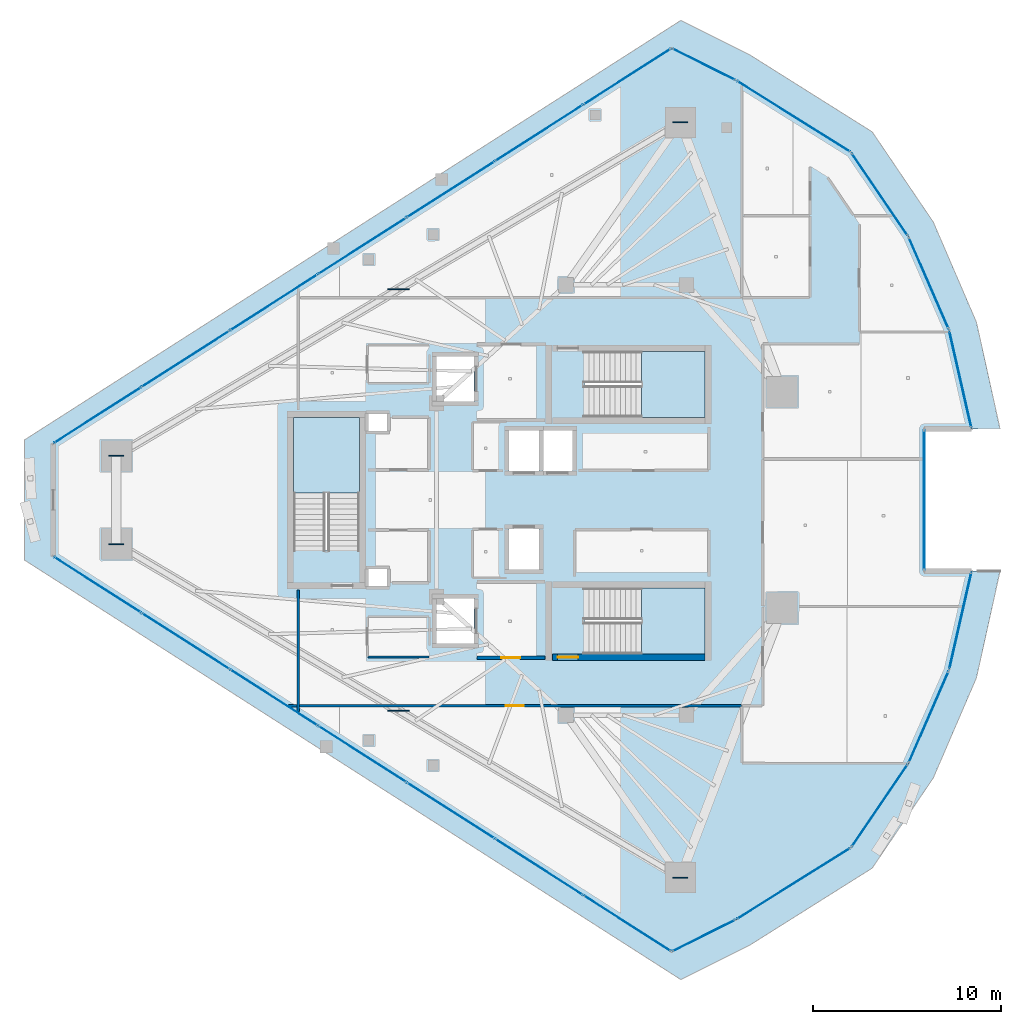
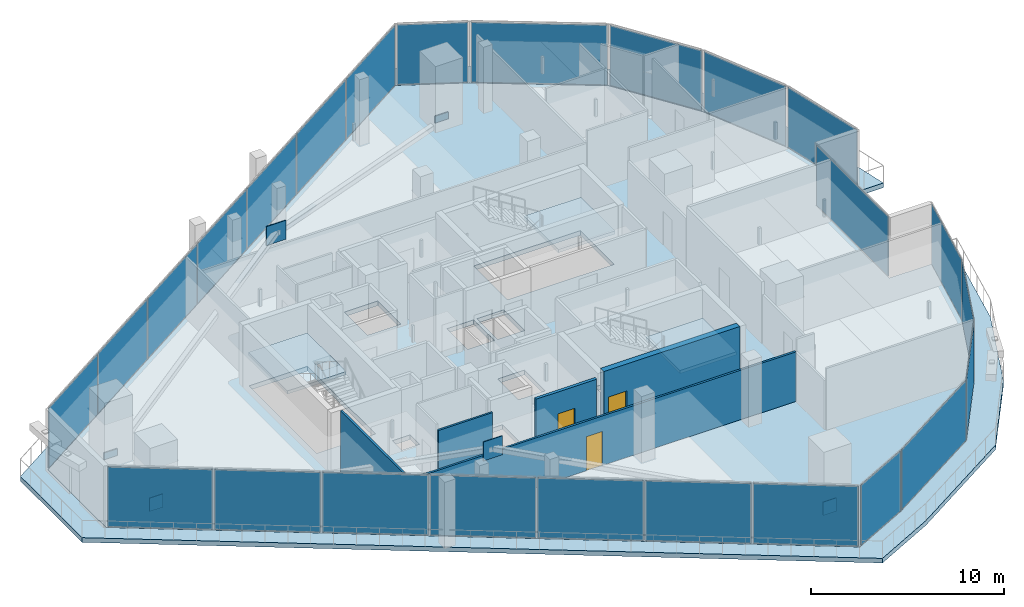
# One storey, part 24 of 34: 31 plates, 5 slabs, 5 walls, 3 doors, 3 openings, 16 elements without a shape of their own.
"""IFC4 building model written with IfcOpenShell, lengths in metres."""

from ifc_helpers import new_model, si_unit, direction, frame, frame_2d, origin, origin_2d, place, context, subcontext, project, spatial, polyline, rectangle, outline, extrude, material, layer, layer_set, type_object, element, fill, aggregate, save


model = new_model("IFC4")

# Units and contexts
model_context = context("Model", 3, precision=1e-05, world=origin(), true_north=direction((0.0, 1.0)))
body_context = subcontext(model_context, "Body", "Model", "MODEL_VIEW")
ifc_project = project(units=[si_unit("LENGTHUNIT", "METRE"), si_unit("AREAUNIT", "SQUARE_METRE"), si_unit("VOLUMEUNIT", "CUBIC_METRE"), si_unit("PLANEANGLEUNIT", "RADIAN"), si_unit("MASSUNIT", "GRAM", prefix="KILO")], contexts=[model_context])

# Site, building, storey
site_placement = place(None, origin())
site = spatial("IfcSite", under=ifc_project, at=site_placement, CompositionType="ELEMENT")
building_placement = place(site_placement, origin())
building = spatial("IfcBuilding", under=site, at=building_placement, Name="Qorvath Tower", CompositionType="ELEMENT")
storey_placement = place(building_placement, frame((0.0, 0.0, 276.60009765625)))
storey = spatial("IfcBuildingStorey", under=building, at=storey_placement, Name="L64", CompositionType="ELEMENT", Elevation=276.60009765625)

# Curtain wall, plates
ifc_material_1 = material(Name="Anodised aluminium and triple low-E glass", Category="aluminium")
ifc_layer_1 = layer(ifc_material_1, 0.179931640625)
ifc_layer_set_1 = layer_set([ifc_layer_1], Name="CW-SYS-4")
curtain_wall_type = type_object("IfcCurtainWallType", Name="CW-SYS-4", PredefinedType="NOTDEFINED", material=ifc_layer_set_1)
curtain_wall_1_placement = place(storey_placement, origin())
curtain_wall_1 = element("IfcCurtainWall", 1, at=curtain_wall_1_placement, inside=storey, type_object=curtain_wall_type, Name="Curtain Wall CW-4 CW-T-L64-2.1", PredefinedType="NOTDEFINED")
ifc_material_2 = material(Name="Acoustic laminated low-E glass", Category="glass")
ifc_layer_2 = layer(ifc_material_2, 0.0380859375)
ifc_layer_set_2 = layer_set([ifc_layer_2], Name="CWP-GLZ-38")
plate_type_1 = type_object("IfcPlateType", Name="CWP-GLZ-38", PredefinedType="CURTAIN_PANEL", material=ifc_layer_set_2)
plate_1_placement = place(storey_placement, frame((-48.538818359375, -4.51904296875, 0.06494140625), z_axis=(0.0, 0.0, 1.0), x_axis=(0.842604094093, -0.538533509281, 0.0)))
plate_1 = element("IfcPlate", 2, at=plate_1_placement, type_object=plate_type_1, Name="CW-4 panel 1.1", PredefinedType="CURTAIN_PANEL", context=body_context, shape_type="SweptSolid", body=[
    extrude(rectangle(XDim=5.46923828125, YDim=0.0380859375, at=origin_2d()), origin(), (0.0, 0.0, 1.0), 3.77978515625),
])
plate_2_placement = place(storey_placement, frame((-43.8515625, -7.514892578125, 0.06494140625), z_axis=(0.0, 0.0, 1.0), x_axis=(0.842604094093, -0.538533509281, 0.0)))
plate_2 = element("IfcPlate", 3, at=plate_2_placement, type_object=plate_type_1, Name="CW-4 panel 2.1", PredefinedType="CURTAIN_PANEL", context=body_context, shape_type="SweptSolid", body=[
    extrude(rectangle(XDim=5.506591796875, YDim=0.0380859375, at=origin_2d()), origin(), (0.0, 0.0, 1.0), 3.77978515625),
])
plate_3_placement = place(storey_placement, frame((-39.148193359375, -10.520751953125, 0.06494140625), z_axis=(0.0, 0.0, 1.0), x_axis=(0.842604094093, -0.538533509281, 0.0)))
plate_3 = element("IfcPlate", 4, at=plate_3_placement, type_object=plate_type_1, Name="CW-4 panel 3.1", PredefinedType="CURTAIN_PANEL", context=body_context, shape_type="SweptSolid", body=[
    extrude(rectangle(XDim=5.506591796875, YDim=0.0380859375, at=origin_2d()), origin(), (0.0, 0.0, 1.0), 3.77978515625),
])
plate_4_placement = place(storey_placement, frame((-34.445068359375, -13.526611328125, 0.06494140625), z_axis=(0.0, 0.0, 1.0), x_axis=(0.842604094093, -0.538533509281, 0.0)))
plate_4 = element("IfcPlate", 5, at=plate_4_placement, type_object=plate_type_1, Name="CW-4 panel 4.1", PredefinedType="CURTAIN_PANEL", context=body_context, shape_type="SweptSolid", body=[
    extrude(rectangle(XDim=5.506591796875, YDim=0.0380859375, at=origin_2d()), origin(), (0.0, 0.0, 1.0), 3.77978515625),
])
plate_5_placement = place(storey_placement, frame((-29.741943359375, -16.532470703125, 0.06494140625), z_axis=(0.0, 0.0, 1.0), x_axis=(0.842604094093, -0.538533509281, 0.0)))
plate_5 = element("IfcPlate", 6, at=plate_5_placement, type_object=plate_type_1, Name="CW-4 panel 5.1", PredefinedType="CURTAIN_PANEL", context=body_context, shape_type="SweptSolid", body=[
    extrude(rectangle(XDim=5.506591796875, YDim=0.0380859375, at=origin_2d()), origin(), (0.0, 0.0, 1.0), 3.77978515625),
])
plate_6_placement = place(storey_placement, frame((-25.038818359375, -19.53857421875, 0.06494140625), z_axis=(0.0, 0.0, 1.0), x_axis=(0.842604094093, -0.538533509281, 0.0)))
plate_6 = element("IfcPlate", 7, at=plate_6_placement, type_object=plate_type_1, Name="CW-4 panel 6.1", PredefinedType="CURTAIN_PANEL", context=body_context, shape_type="SweptSolid", body=[
    extrude(rectangle(XDim=5.506591796875, YDim=0.0380859375, at=origin_2d()), origin(), (0.0, 0.0, 1.0), 3.77978515625),
])
plate_7_placement = place(storey_placement, frame((-20.3515625, -22.534423828125, 0.06494140625), z_axis=(0.0, 0.0, 1.0), x_axis=(0.842604094093, -0.538533509281, 0.0)))
plate_7 = element("IfcPlate", 8, at=plate_7_placement, type_object=plate_type_1, Name="CW-4 panel 7.1", PredefinedType="CURTAIN_PANEL", context=body_context, shape_type="SweptSolid", body=[
    extrude(rectangle(XDim=5.46923828125, YDim=0.0380859375, at=origin_2d()), origin(), (0.0, 0.0, 1.0), 3.77978515625),
])
aggregate(curtain_wall_1, [plate_1, plate_2, plate_3, plate_4, plate_5, plate_6, plate_7])

# Curtain wall, plate
curtain_wall_2_placement = place(storey_placement, origin())
curtain_wall_2 = element("IfcCurtainWall", 9, at=curtain_wall_2_placement, inside=storey, type_object=curtain_wall_type, Name="Curtain Wall CW-4 CW-T-L64-3.1", PredefinedType="NOTDEFINED")
plate_8_placement = place(storey_placement, frame((-16.266357421875, -23.1884765625, 0.06494140625), z_axis=(0.0, 0.0, 1.0), x_axis=(0.894411568906, 0.447244838324, 0.0)))
plate_8 = element("IfcPlate", 10, at=plate_8_placement, type_object=plate_type_1, Name="CW-4 panel 1.1", PredefinedType="CURTAIN_PANEL", context=body_context, shape_type="SweptSolid", body=[
    extrude(rectangle(XDim=3.69091796875, YDim=0.0380859375, at=origin_2d()), origin(), (0.0, 0.0, 1.0), 3.77978515625),
])
aggregate(curtain_wall_2, [plate_8])

curtain_wall_3_placement = place(storey_placement, origin())
curtain_wall_3 = element("IfcCurtainWall", 11, at=curtain_wall_3_placement, inside=storey, type_object=curtain_wall_type, Name="Curtain Wall CW-4 CW-T-L64-4.1", PredefinedType="NOTDEFINED")
plate_9_placement = place(storey_placement, frame((-11.489013671875, -20.415283203125, 0.06494140625), z_axis=(0.0, 0.0, 1.0), x_axis=(0.84777096848, 0.530362503391, 0.0)))
plate_9 = element("IfcPlate", 12, at=plate_9_placement, type_object=plate_type_1, Name="CW-4 panel 1.1", PredefinedType="CURTAIN_PANEL", context=body_context, shape_type="SweptSolid", body=[
    extrude(rectangle(XDim=7.068359375, YDim=0.0380859375, at=origin_2d()), origin(), (0.0, 0.0, 1.0), 3.77978515625),
])
aggregate(curtain_wall_3, [plate_9])

curtain_wall_4_placement = place(storey_placement, origin())
curtain_wall_4 = element("IfcCurtainWall", 13, at=curtain_wall_4_placement, inside=storey, type_object=curtain_wall_type, Name="Curtain Wall CW-4 CW-T-L64-5.1", PredefinedType="NOTDEFINED")
plate_10_placement = place(storey_placement, frame((-6.905029296875, -16.264892578125, 0.06494140625), z_axis=(0.0, 0.0, 1.0), x_axis=(0.56320266455, 0.826318799643, 0.0)))
plate_10 = element("IfcPlate", 14, at=plate_10_placement, type_object=plate_type_1, Name="CW-4 panel 1.1", PredefinedType="CURTAIN_PANEL", context=body_context, shape_type="SweptSolid", body=[
    extrude(rectangle(XDim=5.262451171875, YDim=0.0380859375, at=origin_2d()), origin(), (0.0, 0.0, 1.0), 3.77978515625),
])
aggregate(curtain_wall_4, [plate_10])

curtain_wall_5_placement = place(storey_placement, origin())
curtain_wall_5 = element("IfcCurtainWall", 15, at=curtain_wall_5_placement, inside=storey, type_object=curtain_wall_type, Name="Curtain Wall CW-4 CW-T-L64-6.1", PredefinedType="NOTDEFINED")
plate_11_placement = place(storey_placement, frame((-4.298583984375, -11.548095703125, 0.06494140625), z_axis=(0.0, 0.0, 1.0), x_axis=(0.399899872441, 0.91655883173, 0.0)))
plate_11 = element("IfcPlate", 16, at=plate_11_placement, type_object=plate_type_1, Name="CW-4 panel 1.1", PredefinedType="CURTAIN_PANEL", context=body_context, shape_type="SweptSolid", body=[
    extrude(rectangle(XDim=5.262939453125, YDim=0.0380859375, at=origin_2d()), origin(), (0.0, 0.0, 1.0), 3.77978515625),
])
aggregate(curtain_wall_5, [plate_11])

curtain_wall_6_placement = place(storey_placement, origin())
curtain_wall_6 = element("IfcCurtainWall", 17, at=curtain_wall_6_placement, inside=storey, type_object=curtain_wall_type, Name="Curtain Wall CW-4 CW-T-L64-7.1", PredefinedType="NOTDEFINED")
plate_12_placement = place(storey_placement, frame((-2.614013671875, -6.42919921875, 0.06494140625), z_axis=(0.0, 0.0, 1.0), x_axis=(0.222592024744, 0.974911683446, 0.0)))
plate_12 = element("IfcPlate", 18, at=plate_12_placement, type_object=plate_type_1, Name="CW-4 panel 1.1", PredefinedType="CURTAIN_PANEL", context=body_context, shape_type="SweptSolid", body=[
    extrude(rectangle(XDim=5.2626953125, YDim=0.0380859375, at=origin_2d()), origin(), (0.0, 0.0, 1.0), 3.77978515625),
])
aggregate(curtain_wall_6, [plate_12])

curtain_wall_7_placement = place(storey_placement, origin())
curtain_wall_7 = element("IfcCurtainWall", 19, at=curtain_wall_7_placement, inside=storey, type_object=curtain_wall_type, Name="Curtain Wall CW-4 CW-T-L64-9.1", PredefinedType="NOTDEFINED")
plate_13_placement = place(storey_placement, frame((-4.538818359375, 0.0, 0.06494140625), z_axis=(0.0, 0.0, 1.0), x_axis=(0.0, 1.0, 0.0)))
plate_13 = element("IfcPlate", 20, at=plate_13_placement, type_object=plate_type_1, Name="CW-4 panel 1.1", PredefinedType="CURTAIN_PANEL", context=body_context, shape_type="SweptSolid", body=[
    extrude(rectangle(XDim=7.431640625, YDim=0.0380859375, at=origin_2d()), origin(), (0.0, 0.0, 1.0), 3.77978515625),
])
aggregate(curtain_wall_7, [plate_13])

curtain_wall_8_placement = place(storey_placement, origin())
curtain_wall_8 = element("IfcCurtainWall", 21, at=curtain_wall_8_placement, inside=storey, type_object=curtain_wall_type, Name="Curtain Wall CW-4 CW-T-L64-11.1", PredefinedType="NOTDEFINED")
plate_14_placement = place(storey_placement, frame((-2.614013671875, 6.42919921875, 0.06494140625), z_axis=(0.0, 0.0, 1.0), x_axis=(-0.222592024744, 0.974911683446, 0.0)))
plate_14 = element("IfcPlate", 22, at=plate_14_placement, type_object=plate_type_1, Name="CW-4 panel 1.1", PredefinedType="CURTAIN_PANEL", context=body_context, shape_type="SweptSolid", body=[
    extrude(rectangle(XDim=5.2626953125, YDim=0.0380859375, at=origin_2d()), origin(), (0.0, 0.0, 1.0), 3.77978515625),
])
aggregate(curtain_wall_8, [plate_14])

curtain_wall_9_placement = place(storey_placement, origin())
curtain_wall_9 = element("IfcCurtainWall", 23, at=curtain_wall_9_placement, inside=storey, type_object=curtain_wall_type, Name="Curtain Wall CW-4 CW-T-L64-12.1", PredefinedType="NOTDEFINED")
plate_15_placement = place(storey_placement, frame((-4.298583984375, 11.548095703125, 0.06494140625), z_axis=(0.0, 0.0, 1.0), x_axis=(-0.399899872441, 0.91655883173, 0.0)))
plate_15 = element("IfcPlate", 24, at=plate_15_placement, type_object=plate_type_1, Name="CW-4 panel 1.1", PredefinedType="CURTAIN_PANEL", context=body_context, shape_type="SweptSolid", body=[
    extrude(rectangle(XDim=5.262939453125, YDim=0.0380859375, at=origin_2d()), origin(), (0.0, 0.0, 1.0), 3.77978515625),
])
aggregate(curtain_wall_9, [plate_15])

curtain_wall_10_placement = place(storey_placement, origin())
curtain_wall_10 = element("IfcCurtainWall", 25, at=curtain_wall_10_placement, inside=storey, type_object=curtain_wall_type, Name="Curtain Wall CW-4 CW-T-L64-13.1", PredefinedType="NOTDEFINED")
plate_16_placement = place(storey_placement, frame((-6.905029296875, 16.264892578125, 0.06494140625), z_axis=(0.0, 0.0, 1.0), x_axis=(-0.56320266455, 0.826318799643, 0.0)))
plate_16 = element("IfcPlate", 26, at=plate_16_placement, type_object=plate_type_1, Name="CW-4 panel 1.1", PredefinedType="CURTAIN_PANEL", context=body_context, shape_type="SweptSolid", body=[
    extrude(rectangle(XDim=5.262451171875, YDim=0.0380859375, at=origin_2d()), origin(), (0.0, 0.0, 1.0), 3.77978515625),
])
aggregate(curtain_wall_10, [plate_16])

curtain_wall_11_placement = place(storey_placement, origin())
curtain_wall_11 = element("IfcCurtainWall", 27, at=curtain_wall_11_placement, inside=storey, type_object=curtain_wall_type, Name="Curtain Wall CW-4 CW-T-L64-14.1", PredefinedType="NOTDEFINED")
plate_17_placement = place(storey_placement, frame((-11.489013671875, 20.415283203125, 0.06494140625), z_axis=(0.0, 0.0, 1.0), x_axis=(-0.84777096848, 0.530362503391, 0.0)))
plate_17 = element("IfcPlate", 28, at=plate_17_placement, type_object=plate_type_1, Name="CW-4 panel 1.1", PredefinedType="CURTAIN_PANEL", context=body_context, shape_type="SweptSolid", body=[
    extrude(rectangle(XDim=7.068359375, YDim=0.0380859375, at=origin_2d()), origin(), (0.0, 0.0, 1.0), 3.77978515625),
])
aggregate(curtain_wall_11, [plate_17])

curtain_wall_12_placement = place(storey_placement, origin())
curtain_wall_12 = element("IfcCurtainWall", 29, at=curtain_wall_12_placement, inside=storey, type_object=curtain_wall_type, Name="Curtain Wall CW-4 CW-T-L64-15.1", PredefinedType="NOTDEFINED")
plate_18_placement = place(storey_placement, frame((-16.266357421875, 23.1884765625, 0.06494140625), z_axis=(0.0, 0.0, 1.0), x_axis=(-0.894411568906, 0.447244838324, 0.0)))
plate_18 = element("IfcPlate", 30, at=plate_18_placement, type_object=plate_type_1, Name="CW-4 panel 1.1", PredefinedType="CURTAIN_PANEL", context=body_context, shape_type="SweptSolid", body=[
    extrude(rectangle(XDim=3.69091796875, YDim=0.0380859375, at=origin_2d()), origin(), (0.0, 0.0, 1.0), 3.77978515625),
])
aggregate(curtain_wall_12, [plate_18])

# Curtain wall, plates
curtain_wall_13_placement = place(storey_placement, origin())
curtain_wall_13 = element("IfcCurtainWall", 31, at=curtain_wall_13_placement, inside=storey, type_object=curtain_wall_type, Name="Curtain Wall CW-4 CW-T-L64-16.1", PredefinedType="NOTDEFINED")
plate_19_placement = place(storey_placement, frame((-20.3515625, 22.534423828125, 0.06494140625), z_axis=(0.0, 0.0, 1.0), x_axis=(-0.842604094093, -0.538533509281, 0.0)))
plate_19 = element("IfcPlate", 32, at=plate_19_placement, type_object=plate_type_1, Name="CW-4 panel 1.1", PredefinedType="CURTAIN_PANEL", context=body_context, shape_type="SweptSolid", body=[
    extrude(rectangle(XDim=5.46923828125, YDim=0.0380859375, at=origin_2d()), origin(), (0.0, 0.0, 1.0), 3.77978515625),
])
plate_20_placement = place(storey_placement, frame((-25.038818359375, 19.53857421875, 0.06494140625), z_axis=(0.0, 0.0, 1.0), x_axis=(-0.842604094093, -0.538533509281, 0.0)))
plate_20 = element("IfcPlate", 33, at=plate_20_placement, type_object=plate_type_1, Name="CW-4 panel 2.1", PredefinedType="CURTAIN_PANEL", context=body_context, shape_type="SweptSolid", body=[
    extrude(rectangle(XDim=5.506591796875, YDim=0.0380859375, at=origin_2d()), origin(), (0.0, 0.0, 1.0), 3.77978515625),
])
plate_21_placement = place(storey_placement, frame((-29.741943359375, 16.532470703125, 0.06494140625), z_axis=(0.0, 0.0, 1.0), x_axis=(-0.842604094093, -0.538533509281, 0.0)))
plate_21 = element("IfcPlate", 34, at=plate_21_placement, type_object=plate_type_1, Name="CW-4 panel 3.1", PredefinedType="CURTAIN_PANEL", context=body_context, shape_type="SweptSolid", body=[
    extrude(rectangle(XDim=5.506591796875, YDim=0.0380859375, at=origin_2d()), origin(), (0.0, 0.0, 1.0), 3.77978515625),
])
plate_22_placement = place(storey_placement, frame((-34.445068359375, 13.526611328125, 0.06494140625), z_axis=(0.0, 0.0, 1.0), x_axis=(-0.842604094093, -0.538533509281, 0.0)))
plate_22 = element("IfcPlate", 35, at=plate_22_placement, type_object=plate_type_1, Name="CW-4 panel 4.1", PredefinedType="CURTAIN_PANEL", context=body_context, shape_type="SweptSolid", body=[
    extrude(rectangle(XDim=5.506591796875, YDim=0.0380859375, at=origin_2d()), origin(), (0.0, 0.0, 1.0), 3.77978515625),
])
plate_23_placement = place(storey_placement, frame((-39.148193359375, 10.520751953125, 0.06494140625), z_axis=(0.0, 0.0, 1.0), x_axis=(-0.842604094093, -0.538533509281, 0.0)))
plate_23 = element("IfcPlate", 36, at=plate_23_placement, type_object=plate_type_1, Name="CW-4 panel 5.1", PredefinedType="CURTAIN_PANEL", context=body_context, shape_type="SweptSolid", body=[
    extrude(rectangle(XDim=5.506591796875, YDim=0.0380859375, at=origin_2d()), origin(), (0.0, 0.0, 1.0), 3.77978515625),
])
plate_24_placement = place(storey_placement, frame((-43.8515625, 7.514892578125, 0.06494140625), z_axis=(0.0, 0.0, 1.0), x_axis=(-0.842604094093, -0.538533509281, 0.0)))
plate_24 = element("IfcPlate", 37, at=plate_24_placement, type_object=plate_type_1, Name="CW-4 panel 6.1", PredefinedType="CURTAIN_PANEL", context=body_context, shape_type="SweptSolid", body=[
    extrude(rectangle(XDim=5.506591796875, YDim=0.0380859375, at=origin_2d()), origin(), (0.0, 0.0, 1.0), 3.77978515625),
])
plate_25_placement = place(storey_placement, frame((-48.538818359375, 4.51904296875, 0.06494140625), z_axis=(0.0, 0.0, 1.0), x_axis=(-0.842604094093, -0.538533509281, 0.0)))
plate_25 = element("IfcPlate", 38, at=plate_25_placement, type_object=plate_type_1, Name="CW-4 panel 7.1", PredefinedType="CURTAIN_PANEL", context=body_context, shape_type="SweptSolid", body=[
    extrude(rectangle(XDim=5.46923828125, YDim=0.0380859375, at=origin_2d()), origin(), (0.0, 0.0, 1.0), 3.77978515625),
])
aggregate(curtain_wall_13, [plate_19, plate_20, plate_21, plate_22, plate_23, plate_24, plate_25])

# Plates
ifc_material_3 = material(Name="Steel ASTM A572 Grade 50", Category="steel")
ifc_layer_3 = layer(ifc_material_3, 0.054931640625)
ifc_layer_set_3 = layer_set([ifc_layer_3], Name="PL-MBN1")
plate_type_2 = type_object("IfcPlateType", Name="PL-MBN1", PredefinedType="USERDEFINED", material=ifc_layer_set_3)
for number, where, z_axis, x_axis, name in (
    (39, (-32.526611328125, 11.2255859375, 2.9599609375), (0.0, 0.0, 1.0), (1.0, 0.0, 0.0), "Mega-Brace Chevron Apex Gusset L64-1"),
    (40, (-32.526611328125, -11.2255859375, 2.9599609375), (0.0, 0.0, 1.0), (1.0, 0.0, 0.0), "Mega-Brace Chevron Apex Gusset L64-2"),
):
    element("IfcPlate", number, at=place(storey_placement, frame(where, z_axis=z_axis, x_axis=x_axis)), inside=storey, type_object=plate_type_2, Name=name, ObjectType="GUSSET", PredefinedType="USERDEFINED", context=body_context, shape_type="SweptSolid", body=[
        extrude(rectangle(XDim=1.14990234375, YDim=0.054931640625, at=origin_2d()), origin(), (0.0, 0.0, 1.0), 1.199951171875),
    ])
for number, where, z_axis, x_axis, name in (
    (41, (-17.515380859375, 20.1015625, -0.425048828125), (0.0, 0.0, 1.0), (1.0, 0.0, 0.0), "Brace Strut End Gusset Plate NDBG-113"),
    (42, (-47.53759765625, 2.349609375, -0.425048828125), (0.0, 0.0, 1.0), (1.0, 0.0, 0.0), "Brace Strut End Gusset Plate NDBG-114"),
    (43, (-47.53759765625, -2.349609375, -0.425048828125), (0.0, 0.0, 1.0), (1.0, 0.0, 0.0), "Brace Strut End Gusset Plate NDBG-115"),
    (44, (-17.515380859375, -20.1015625, -0.425048828125), (0.0, 0.0, 1.0), (1.0, 0.0, 0.0), "Brace Strut End Gusset Plate NDBG-116"),
):
    element("IfcPlate", number, at=place(storey_placement, frame(where, z_axis=z_axis, x_axis=x_axis)), inside=storey, type_object=plate_type_2, Name=name, ObjectType="GUSSET", PredefinedType="USERDEFINED", context=body_context, shape_type="SweptSolid", body=[
        extrude(rectangle(XDim=0.800048828125, YDim=0.054931640625, at=origin_2d()), origin(), (0.0, 0.0, 1.0), 0.85009765625),
    ])

# Slab
ifc_material_4 = material(Name="Concrete C50/60", Category="concrete")
ifc_layer_4 = layer(ifc_material_4, 0.2900390625)
ifc_layer_set_4 = layer_set([ifc_layer_4], Name="SL-EXEC-290")
slab_type_1 = type_object("IfcSlabType", Name="SL-EXEC-290", PredefinedType="FLOOR", material=ifc_layer_set_4)
slab_1_placement = place(storey_placement, frame((0.0, 0.0, -0.2900390625)))
element("IfcSlab", 45, at=slab_1_placement, inside=storey, type_object=slab_type_1, Name="Tower L64 Interior Floor Slab", PredefinedType="FLOOR", context=body_context, shape_type="SweptSolid", body=[
    extrude(outline(polyline([(-50.90625, 3.005859375), (-50.90625, -3.005859375), (-17.984130859375, -24.04736328125), (-14.548828125, -22.32958984375), (-8.42919921875, -18.501220703125), (-5.380859375, -14.02880859375), (-3.21630859375, -9.067626953125), (-2.011474609375, -3.790771484375), (-4.538818359375, -3.790771484375), (-4.538818359375, 3.790771484375), (-2.011474609375, 3.790771484375), (-3.21630859375, 9.067626953125), (-5.380859375, 14.02880859375), (-8.42919921875, 18.501220703125), (-14.548828125, 22.32958984375), (-17.984130859375, 24.04736328125), (-50.90625, 3.005859375)]), holes=[polyline([(-16.2451171875, -8.199951171875), (-22.625, -8.199951171875), (-22.625, -4.68994140625), (-16.2451171875, -4.68994140625), (-16.2451171875, -8.199951171875)]), polyline([(-22.625, 4.39990234375), (-22.625, 7.909912109375), (-16.2451171875, 7.909912109375), (-16.2451171875, 4.39990234375), (-22.625, 4.39990234375)]), polyline([(-23.25, 1.550048828125), (-24.85009765625, 1.550048828125), (-24.85009765625, 3.699951171875), (-23.25, 3.699951171875), (-23.25, 1.550048828125)]), polyline([(-26.64990234375, -3.699951171875), (-26.64990234375, -1.550048828125), (-25.050048828125, -1.550048828125), (-25.050048828125, -3.699951171875), (-26.64990234375, -3.699951171875)]), polyline([(-25.050048828125, 1.550048828125), (-26.64990234375, 1.550048828125), (-26.64990234375, 3.699951171875), (-25.050048828125, 3.699951171875), (-25.050048828125, 1.550048828125)]), polyline([(-28.5, -7.64990234375), (-30.5, -7.64990234375), (-30.5, -5.25), (-28.5, -5.25), (-28.5, -7.64990234375)]), polyline([(-30.5, 5.25), (-30.5, 7.64990234375), (-28.5, 7.64990234375), (-28.5, 5.25), (-30.5, 5.25)]), polyline([(-33.10009765625, -4.6201171875), (-34.14990234375, -4.6201171875), (-34.14990234375, -3.64990234375), (-33.10009765625, -3.64990234375), (-33.10009765625, -4.6201171875)]), polyline([(-33.10009765625, 3.64990234375), (-34.14990234375, 3.64990234375), (-34.14990234375, 4.6201171875), (-33.10009765625, 4.6201171875), (-33.10009765625, 3.64990234375)]), polyline([(-34.60009765625, -2.675048828125), (-38.110107421875, -2.675048828125), (-38.110107421875, 4.35498046875), (-34.60009765625, 4.35498046875), (-34.60009765625, -2.675048828125)])]), origin(), (0.0, 0.0, 1.0), 0.2900390625),
])

# Stair, slab
ifc_material_5 = material(Name="Concrete C50/60", Category="concrete")
stair_type = type_object("IfcStairType", Name="ST-H420", PredefinedType="HALF_TURN_STAIR", material=ifc_material_5)
stair_1_placement = place(storey_placement, origin())
stair_1 = element("IfcStair", 46, at=stair_1_placement, inside=storey, type_object=stair_type, Name="L64 Tower Exit Stair 1", PredefinedType="HALF_TURN_STAIR")
ifc_material_6 = material(Name="Concrete C50/60", Category="concrete")
ifc_layer_5 = layer(ifc_material_6, 0.199951171875)
ifc_layer_set_5 = layer_set([ifc_layer_5], Name="SL-LND-200")
slab_type_2 = type_object("IfcSlabType", Name="SL-LND-200", PredefinedType="LANDING", material=ifc_layer_set_5)
slab_2_placement = place(storey_placement, frame((0.0, 0.0, 1.89990234375)))
slab_2 = element("IfcSlab", 47, at=slab_2_placement, type_object=slab_type_2, Name="TS1 landing 1", PredefinedType="LANDING", context=body_context, shape_type="SweptSolid", body=[
    extrude(outline(polyline([(-19.590087890625, 4.39990234375), (-16.199951171875, 4.39990234375), (-16.199951171875, 7.909912109375), (-19.590087890625, 7.909912109375), (-19.590087890625, 4.39990234375)])), origin(), (0.0, 0.0, 1.0), 0.199951171875),
])
aggregate(stair_1, [slab_2])

stair_2_placement = place(storey_placement, origin())
stair_2 = element("IfcStair", 48, at=stair_2_placement, inside=storey, type_object=stair_type, Name="L64 Tower Exit Stair 2", PredefinedType="HALF_TURN_STAIR")
slab_3_placement = place(storey_placement, frame((0.0, 0.0, 1.89990234375)))
slab_3 = element("IfcSlab", 49, at=slab_3_placement, type_object=slab_type_2, Name="TS2 landing 1", PredefinedType="LANDING", context=body_context, shape_type="SweptSolid", body=[
    extrude(outline(polyline([(-19.590087890625, -8.199951171875), (-16.199951171875, -8.199951171875), (-16.199951171875, -4.68994140625), (-19.590087890625, -4.68994140625), (-19.590087890625, -8.199951171875)])), origin(), (0.0, 0.0, 1.0), 0.199951171875),
])
aggregate(stair_2, [slab_3])

stair_3_placement = place(storey_placement, origin())
stair_3 = element("IfcStair", 50, at=stair_3_placement, inside=storey, type_object=stair_type, Name="L64 Tower Exit Stair 3", PredefinedType="HALF_TURN_STAIR")
slab_4_placement = place(storey_placement, frame((0.0, 0.0, 1.89990234375)))
slab_4 = element("IfcSlab", 51, at=slab_4_placement, type_object=slab_type_2, Name="TS3 landing 1", PredefinedType="LANDING", context=body_context, shape_type="SweptSolid", body=[
    extrude(outline(polyline([(-34.60009765625, 0.360107421875), (-34.60009765625, 4.39990234375), (-38.110107421875, 4.39990234375), (-38.110107421875, 0.360107421875), (-34.60009765625, 0.360107421875)])), origin(), (0.0, 0.0, 1.0), 0.199951171875),
])
aggregate(stair_3, [slab_4])

# Slab
ifc_material_7 = material(Name="Precast concrete C45/55", Category="concrete")
ifc_layer_6 = layer(ifc_material_7, 0.2900390625)
ifc_layer_set_6 = layer_set([ifc_layer_6], Name="SL-LOG-290")
slab_type_3 = type_object("IfcSlabType", Name="SL-LOG-290", PredefinedType="FLOOR", material=ifc_layer_set_6)
slab_5_placement = place(storey_placement, frame((0.0, 0.0, -0.2900390625)))
element("IfcSlab", 52, at=slab_5_placement, inside=storey, type_object=slab_type_3, Name="Tower L64 Perimeter Loggia and Terrace Slab", PredefinedType="FLOOR", context=body_context, shape_type="SweptSolid", body=[
    extrude(outline(polyline([(-2.011474609375, -3.790771484375), (-3.21630859375, -9.067626953125), (-5.380859375, -14.02880859375), (-8.42919921875, -18.501220703125), (-14.548828125, -22.32958984375), (-17.984130859375, -24.04736328125), (-50.90625, -3.005859375), (-50.90625, 3.005859375), (-17.984130859375, 24.04736328125), (-14.548828125, 22.32958984375), (-8.42919921875, 18.501220703125), (-5.380859375, 14.02880859375), (-3.21630859375, 9.067626953125), (-2.011474609375, 3.790771484375), (-0.5029296875, 3.790771484375), (-1.757080078125, 9.45849609375), (-4.052978515625, 14.790283203125), (-7.30859375, 19.596435546875), (-13.843017578125, 23.7060546875), (-17.489990234375, 25.52978515625), (-52.44140625, 3.191162109375), (-52.44140625, -3.191162109375), (-17.489990234375, -25.52978515625), (-13.843017578125, -23.7060546875), (-7.30859375, -19.596435546875), (-4.052978515625, -14.790283203125), (-1.757080078125, -9.45849609375), (-0.5029296875, -3.790771484375), (-2.011474609375, -3.790771484375)])), origin(), (0.0, 0.0, 1.0), 0.2900390625),
])

# Wall, opening, door
ifc_material_8 = material(Name="Gypsum shaftliner on steel studs", Category="steel")
ifc_layer_7 = layer(ifc_material_8, 0.179931640625)
ifc_layer_set_7 = layer_set([ifc_layer_7], Name="FW-LOBBY")
wall_type_1 = type_object("IfcWallType", Name="FW-LOBBY", PredefinedType="PARTITIONING", material=ifc_layer_set_7)
wall_1_placement = place(storey_placement, frame((-28.35498046875, -8.39990234375, 0.0), z_axis=(0.0, 0.0, 1.0), x_axis=(1.0, 0.0, 0.0)))
wall_1 = element("IfcWall", 53, at=wall_1_placement, inside=storey, type_object=wall_type_1, Name="Interior Partition IW-T1-L64-003", PredefinedType="PARTITIONING", context=body_context, shape_type="SweptSolid", body=[
    extrude(rectangle(XDim=3.6220703125, YDim=0.179931640625, at=frame_2d((1.81103515625, 0.0))), origin(), (0.0, 0.0, 1.0), 3.52880859375),
])
opening_1_placement = place(wall_1_placement, frame((1.31103515625, 0.0, 0.0)))
opening_1 = element("IfcOpeningElement", 54, at=opening_1_placement, cuts=wall_1, Name="Opening D-T1-L64-15", PredefinedType="OPENING", context=body_context, shape_type="SweptSolid", body=[
    extrude(rectangle(XDim=1.0, YDim=2.14990234375, at=frame_2d((0.5, 1.074951171875))), frame((0.0, 0.10009765625, 0.0), z_axis=(0.0, -1.0, 0.0), x_axis=(1.0, 0.0, 0.0)), (0.0, 0.0, 1.0), 0.199951171875),
])
ifc_material_9 = material(Name="Painted galvanised hollow metal", Category="steel")
door_type_1 = type_object("IfcDoorType", Name="FD-60", OperationType="NOTDEFINED", PredefinedType="DOOR", material=ifc_material_9)
door_1_placement = place(opening_1_placement, origin())
door_1 = element("IfcDoor", 55, at=door_1_placement, inside=storey, type_object=door_type_1, Name="Lobby Fire Service Elevator South Door D-T1-L64-15", OperationType="SINGLE_SWING_LEFT", OverallHeight=2.14990234375, OverallWidth=1.0, PredefinedType="DOOR", context=body_context, shape_type="SweptSolid", body=[
    extrude(rectangle(XDim=1.0, YDim=2.14990234375, at=frame_2d((0.5, 1.074951171875))), frame((0.0, 0.02490234375, 0.0), z_axis=(0.0, -1.0, 0.0), x_axis=(1.0, 0.0, 0.0)), (0.0, 0.0, 1.0), 0.050048828125),
])
fill(opening_1, door_1)

ifc_material_10 = material(Name="Gypsum board on metal studs with mineral wool", Category="gypsum")
ifc_layer_8 = layer(ifc_material_10, 0.125)
ifc_layer_set_8 = layer_set([ifc_layer_8], Name="IW-PART-125")
wall_type_2 = type_object("IfcWallType", Name="IW-PART-125", PredefinedType="PARTITIONING", material=ifc_layer_set_8)
wall_2_placement = place(storey_placement, frame((-38.384033203125, -10.9580078125, 0.0), z_axis=(0.0, 0.0, 1.0), x_axis=(1.0, 0.0, 0.0)))
wall_2 = element("IfcWall", 56, at=wall_2_placement, inside=storey, type_object=wall_type_2, Name="Interior Partition IW-T1-L64-032", PredefinedType="PARTITIONING", context=body_context, shape_type="SweptSolid", body=[
    extrude(rectangle(XDim=24.109130859375, YDim=0.125, at=frame_2d((12.0546875, 0.0))), origin(), (0.0, 0.0, 1.0), 3.1298828125),
])
opening_2_placement = place(wall_2_placement, frame((11.57958984375, 0.0, 0.0)))
opening_2 = element("IfcOpeningElement", 57, at=opening_2_placement, cuts=wall_2, Name="Opening D-T1-L64-09", PredefinedType="OPENING", context=body_context, shape_type="SweptSolid", body=[
    extrude(rectangle(XDim=0.949951171875, YDim=2.14990234375, at=frame_2d((0.47509765625, 1.074951171875))), frame((0.0, 0.072509765625, 0.0), z_axis=(0.0, -1.0, 0.0), x_axis=(1.0, 0.0, 0.0)), (0.0, 0.0, 1.0), 0.14501953125),
])
ifc_material_11 = material(Name="Solid-core American white oak veneer", Category="wood")
door_type_2 = type_object("IfcDoorType", Name="D-01", OperationType="NOTDEFINED", PredefinedType="DOOR", material=ifc_material_11)
door_2_placement = place(opening_2_placement, origin())
door_2 = element("IfcDoor", 58, at=door_2_placement, inside=storey, type_object=door_type_2, Name="L64-01 Open Workplace Studio Door D-T1-L64-09", OperationType="SINGLE_SWING_LEFT", OverallHeight=2.14990234375, OverallWidth=0.949951171875, PredefinedType="DOOR", context=body_context, shape_type="SweptSolid", body=[
    extrude(rectangle(XDim=0.949951171875, YDim=2.14990234375, at=frame_2d((0.47509765625, 1.074951171875))), frame((0.0, 0.02490234375, 0.0), z_axis=(0.0, -1.0, 0.0), x_axis=(1.0, 0.0, 0.0)), (0.0, 0.0, 1.0), 0.050048828125),
])
fill(opening_2, door_2)

# Walls
wall_3_placement = place(storey_placement, frame((-37.85791015625, -4.783203125, 0.0), z_axis=(0.0, 0.0, 1.0), x_axis=(0.0, -1.0, 0.0)))
element("IfcWall", 59, at=wall_3_placement, inside=storey, type_object=wall_type_2, Name="Interior Partition IW-T1-L64-033", PredefinedType="PARTITIONING", context=body_context, shape_type="SweptSolid", body=[
    extrude(rectangle(XDim=6.482177734375, YDim=0.125, at=frame_2d((3.2412109375, 0.0))), origin(), (0.0, 0.0, 1.0), 3.909912109375),
])
ifc_material_12 = material(Name="Moisture-resistant cement board on metal studs", Category="gypsum")
ifc_layer_9 = layer(ifc_material_12, 0.110107421875)
ifc_layer_set_9 = layer_set([ifc_layer_9], Name="IW-WC-110")
wall_type_3 = type_object("IfcWallType", Name="IW-WC-110", PredefinedType="PARTITIONING", material=ifc_layer_set_9)
wall_4_placement = place(storey_placement, frame((-34.15478515625, -8.35009765625, 0.0), z_axis=(0.0, 0.0, 1.0), x_axis=(1.0, 0.0, 0.0)))
element("IfcWall", 60, at=wall_4_placement, inside=storey, type_object=wall_type_3, Name="Interior Partition IW-T1-L64-010", PredefinedType="PARTITIONING", context=body_context, shape_type="SweptSolid", body=[
    extrude(rectangle(XDim=3.25, YDim=0.110107421875, at=frame_2d((1.625, 0.0))), origin(), (0.0, 0.0, 1.0), 3.52880859375),
])

# Wall, opening, door
ifc_material_13 = material(Name="Concrete C60/75", Category="concrete")
ifc_layer_10 = layer(ifc_material_13, 0.35009765625)
ifc_layer_set_10 = layer_set([ifc_layer_10], Name="SW-STAIR")
wall_type_4 = type_object("IfcWallType", Name="SW-STAIR", PredefinedType="SHEAR", material=ifc_layer_set_10)
wall_5_placement = place(storey_placement, frame((-24.3349609375, -8.375, 0.0), z_axis=(0.0, 0.0, 1.0), x_axis=(1.0, 0.0, 0.0)))
wall_5 = element("IfcWall", 61, at=wall_5_placement, inside=storey, type_object=wall_type_4, Name="Stair TS2 Shear Wall L64 LEFT", PredefinedType="SHEAR", context=body_context, shape_type="SweptSolid", body=[
    extrude(rectangle(XDim=8.119873046875, YDim=0.35009765625, at=frame_2d((4.06005859375, 0.0))), origin(), (0.0, 0.0, 1.0), 3.909912109375),
])
opening_3_placement = place(wall_5_placement, frame((0.280029296875, 0.0, 0.0)))
opening_3 = element("IfcOpeningElement", 62, at=opening_3_placement, cuts=wall_5, Name="Opening D-TS2-L64", PredefinedType="OPENING", context=body_context, shape_type="SweptSolid", body=[
    extrude(rectangle(XDim=1.10009765625, YDim=2.199951171875, at=frame_2d((0.550048828125, 1.10009765625))), frame((0.0, 0.18505859375, 0.0), z_axis=(0.0, -1.0, 0.0), x_axis=(1.0, 0.0, 0.0)), (0.0, 0.0, 1.0), 0.3701171875),
])
ifc_material_14 = material(Name="Painted galvanised hollow metal", Category="steel")
door_type_3 = type_object("IfcDoorType", Name="FD-90", OperationType="NOTDEFINED", PredefinedType="DOOR", material=ifc_material_14)
door_3_placement = place(opening_3_placement, origin())
door_3 = element("IfcDoor", 63, at=door_3_placement, inside=storey, type_object=door_type_3, Name="Stair TS2 Fire Door L64", OperationType="SINGLE_SWING_LEFT", OverallHeight=2.199951171875, OverallWidth=1.10009765625, PredefinedType="DOOR", context=body_context, shape_type="SweptSolid", body=[
    extrude(rectangle(XDim=1.10009765625, YDim=2.199951171875, at=frame_2d((0.550048828125, 1.10009765625))), frame((0.0, 0.02490234375, 0.0), z_axis=(0.0, -1.0, 0.0), x_axis=(1.0, 0.0, 0.0)), (0.0, 0.0, 1.0), 0.050048828125),
])
fill(opening_3, door_3)

save(model, "model.ifc")
